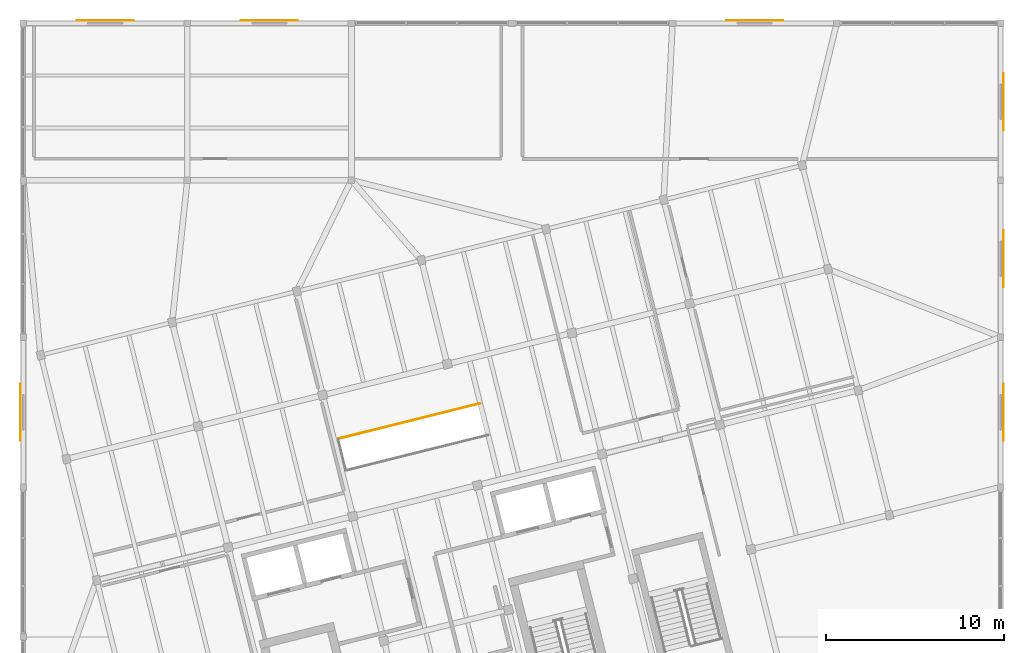
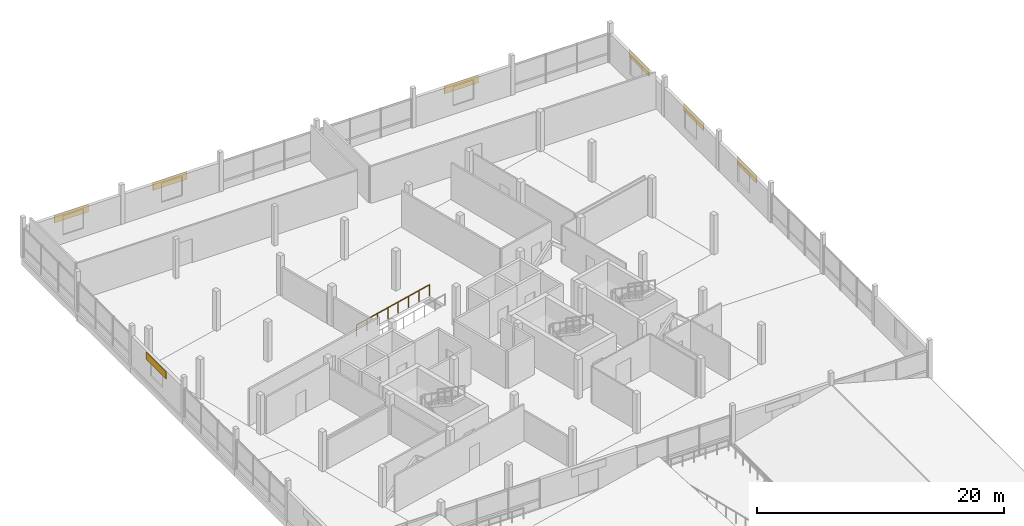
# One storey, part 39 of 39: 7 coverings, 1 railing.
"""IFC4 building model written with IfcOpenShell, lengths in metres."""

from ifc_helpers import new_model, si_unit, direction, frame, origin, origin_2d, place, context, subcontext, project, spatial, rectangle, circle, extrude, material, layer, layer_set, type_object, element, save


model = new_model("IFC4")

# Units and contexts
model_context = context("Model", 3, precision=1e-05, world=origin(), true_north=direction((0.0, 1.0)))
body_context = subcontext(model_context, "Body", "Model", "MODEL_VIEW")
ifc_project = project(units=[si_unit("LENGTHUNIT", "METRE"), si_unit("AREAUNIT", "SQUARE_METRE"), si_unit("VOLUMEUNIT", "CUBIC_METRE"), si_unit("PLANEANGLEUNIT", "RADIAN"), si_unit("MASSUNIT", "GRAM", prefix="KILO")], contexts=[model_context])

# Site, building, storey
site_placement = place(None, origin())
site = spatial("IfcSite", under=ifc_project, at=site_placement, CompositionType="ELEMENT")
building_placement = place(site_placement, origin())
building = spatial("IfcBuilding", under=site, at=building_placement, Name="Meriwether Solvik Hall", CompositionType="ELEMENT")
storey_placement = place(building_placement, frame((0.0, 0.0, 22.199951171875)))
storey = spatial("IfcBuildingStorey", under=building, at=storey_placement, Name="L05", CompositionType="ELEMENT", Elevation=22.199951171875)

# Coverings
ifc_material_1 = material(Name="Acetylated Charred Western Red Cedar Timber", Category="wood")
ifc_layer_1 = layer(ifc_material_1, 0.0400390625)
ifc_layer_set_1 = layer_set([ifc_layer_1], Name="Acetylated Charred Western Red Cedar Timber")
covering_type = type_object("IfcCoveringType", Name="COV-CLAD-TIMB", PredefinedType="CLADDING", material=ifc_layer_set_1)
for number, where, z_axis, x_axis, name in (
    (1, (64.0, 92.9599609375, 2.080078125), (0.0, 0.0, 1.0), (1.0, 0.0, 0.0), "L05 Facade Cladding XK_7_6"),
    (2, (73.199951171875, 92.9599609375, 2.080078125), (0.0, 0.0, 1.0), (1.0, 0.0, 0.0), "L05 Facade Cladding XK_8_7"),
    (3, (100.39990234375, 92.9599609375, 2.080078125), (0.0, 0.0, 1.0), (1.0, 0.0, 0.0), "L05 Facade Cladding XK_11_10"),
    (4, (59.239990234375, 71.0, 2.080078125), (0.0, 0.0, 1.0), (0.0, 1.0, 0.0), "L05 Facade Cladding Y7_8_15"),
    (5, (114.360107421875, 71.0, 2.080078125), (0.0, 0.0, 1.0), (0.0, -1.0, 0.0), "L05 Facade Cladding Y13_8_21"),
    (6, (114.360107421875, 79.60009765625, 2.080078125), (0.0, 0.0, 1.0), (0.0, -1.0, 0.0), "L05 Facade Cladding Y13_9_22"),
    (7, (114.360107421875, 88.39990234375, 2.080078125), (0.0, 0.0, 1.0), (0.0, -1.0, 0.0), "L05 Facade Cladding Y13_10_23"),
):
    element("IfcCovering", number, at=place(storey_placement, frame(where, z_axis=z_axis, x_axis=x_axis)), inside=storey, type_object=covering_type, Name=name, PredefinedType="CLADDING", context=body_context, shape_type="SweptSolid", body=[
        extrude(rectangle(XDim=3.199951171875, YDim=0.0400390625, at=origin_2d()), origin(), (0.0, 0.0, 1.0), 0.75),
    ])

# Railing
ifc_material_2 = material(Name="Steel A36 Galvanised", Category="steel")
ifc_layer_2 = layer(ifc_material_2, 0.054931640625)
ifc_layer_set_2 = layer_set([ifc_layer_2], Name="Steel A36 Galvanised")
railing_type = type_object("IfcRailingType", Name="RAIL-STR-GUARD", PredefinedType="GUARDRAIL", material=ifc_layer_set_2)
railing_placement = place(storey_placement, frame((77.075927734375, 69.50634765625, 0.0)))
element("IfcRailing", 8, at=railing_placement, inside=storey, type_object=railing_type, Name="Stair ST-ED2 Arrival Well Guardrail (L05) 3", PredefinedType="GUARDRAIL", context=body_context, shape_type="SweptSolid", body=[
    extrude(circle(Radius=0.02392578125, at=origin_2d()), frame((0.0, 0.0, 1.09619140625), z_axis=(0.970300148614, 0.241904157879, 0.0), x_axis=(-0.241904157879, 0.970300148614, 0.0)), (0.0, 0.0, 1.0), 8.18798828125),
    extrude(circle(Radius=0.02099609375, at=origin_2d()), origin(), (0.0, 0.0, 1.0), 1.072021484375),
    extrude(circle(Radius=0.02099609375, at=origin_2d()), frame((1.135009765625, 0.282958984375, 0.0)), (0.0, 0.0, 1.0), 1.072021484375),
    extrude(circle(Radius=0.02099609375, at=origin_2d()), frame((2.27001953125, 0.56591796875, 0.0)), (0.0, 0.0, 1.0), 1.072021484375),
    extrude(circle(Radius=0.02099609375, at=origin_2d()), frame((3.405029296875, 0.848876953125, 0.0)), (0.0, 0.0, 1.0), 1.072021484375),
    extrude(circle(Radius=0.02099609375, at=origin_2d()), frame((4.539794921875, 1.1318359375, 0.0)), (0.0, 0.0, 1.0), 1.072021484375),
    extrude(circle(Radius=0.02099609375, at=origin_2d()), frame((5.6748046875, 1.414794921875, 0.0)), (0.0, 0.0, 1.0), 1.072021484375),
    extrude(circle(Radius=0.02099609375, at=origin_2d()), frame((6.809814453125, 1.69775390625, 0.0)), (0.0, 0.0, 1.0), 1.072021484375),
    extrude(circle(Radius=0.02099609375, at=origin_2d()), frame((7.94482421875, 1.980712890625, 0.0)), (0.0, 0.0, 1.0), 1.072021484375),
])

save(model, "model.ifc")
